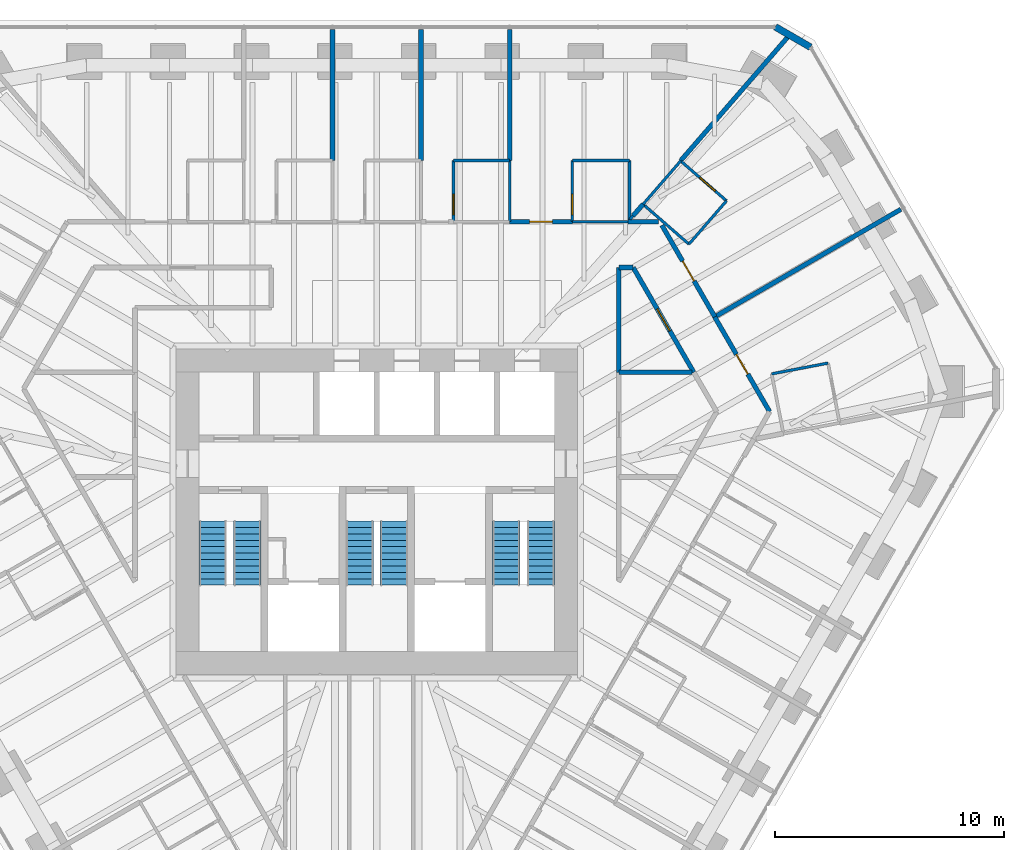
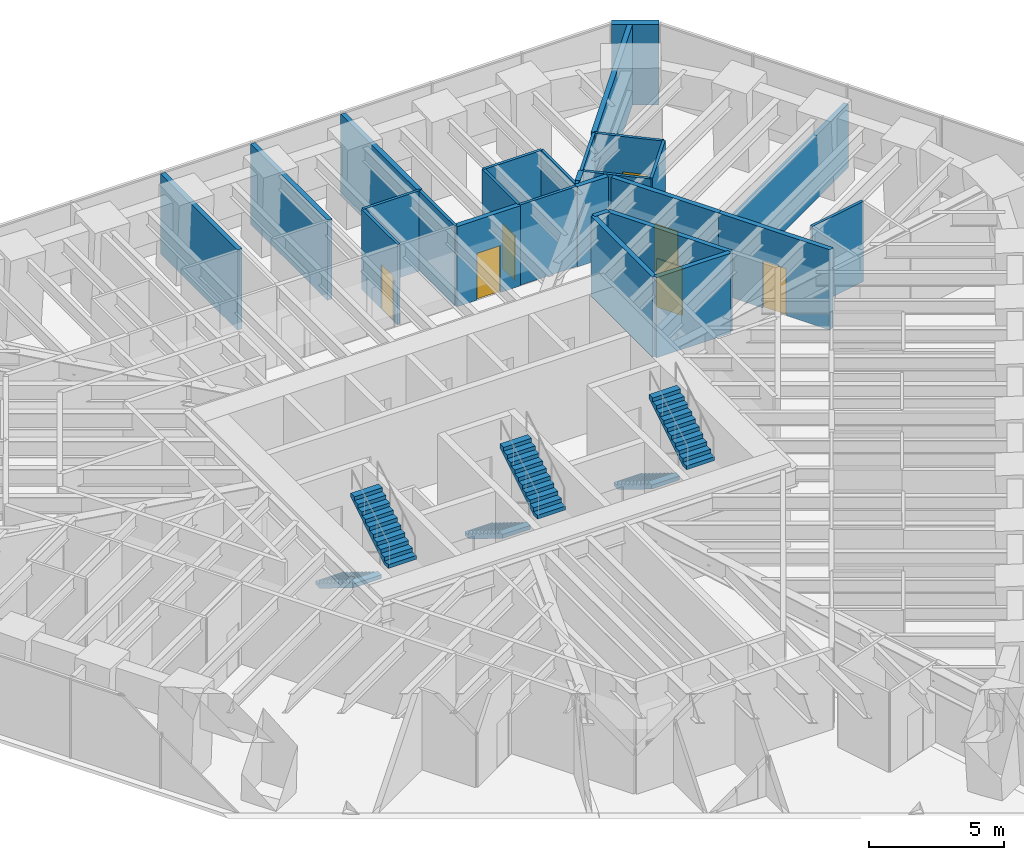
# One storey, part 16 of 17: 28 walls, 7 doors, 6 stair flights, 7 openings, 3 elements without a shape of their own.
"""IFC4 building model written with IfcOpenShell, lengths in metres."""

from ifc_helpers import new_model, si_unit, direction, frame, frame_2d, origin, place, context, subcontext, project, spatial, polyline, rectangle, outline, extrude, material, layer, layer_set, type_object, element, fill, aggregate, save


model = new_model("IFC4")

# Units and contexts
model_context = context("Model", 3, precision=1e-05, world=origin(), true_north=direction((0.0, 1.0)))
body_context = subcontext(model_context, "Body", "Model", "MODEL_VIEW")
ifc_project = project(units=[si_unit("LENGTHUNIT", "METRE"), si_unit("AREAUNIT", "SQUARE_METRE"), si_unit("VOLUMEUNIT", "CUBIC_METRE"), si_unit("PLANEANGLEUNIT", "RADIAN"), si_unit("MASSUNIT", "GRAM", prefix="KILO")], contexts=[model_context])

# Site, building, storey
site_placement = place(None, origin())
site = spatial("IfcSite", under=ifc_project, at=site_placement, CompositionType="ELEMENT")
building_placement = place(site_placement, origin())
building = spatial("IfcBuilding", under=site, at=building_placement, Name="Sandreach Pilgrim Tower", CompositionType="ELEMENT")
storey_placement = place(building_placement, frame((0.0, 0.0, 236.39990234375)))
storey = spatial("IfcBuildingStorey", under=building, at=storey_placement, Name="L59", CompositionType="ELEMENT", Elevation=236.39990234375)

# Wall, opening, door
ifc_material_1 = material(Name="Moisture-resistant gypsum board on steel studs", Category="steel")
ifc_layer_1 = layer(ifc_material_1, 0.1201171875)
ifc_layer_set_1 = layer_set([ifc_layer_1], Name="Bathroom partition 120")
wall_type_1 = type_object("IfcWallType", Name="Bathroom partition 120", PredefinedType="PARTITIONING", material=ifc_layer_set_1)
wall_1_placement = place(storey_placement, frame((3.35009765625, 15.330078125, 0.0), z_axis=(0.0, 0.0, 1.0), x_axis=(0.0, -1.0, 0.0)))
wall_1 = element("IfcWall", 1, at=wall_1_placement, inside=storey, type_object=wall_type_1, Name="Bathroom partition L59-085", PredefinedType="PARTITIONING", context=body_context, shape_type="SweptSolid", body=[
    extrude(rectangle(XDim=2.670166015625, YDim=0.1201171875, at=frame_2d((1.3349609375, 0.0))), origin(), (0.0, 0.0, 1.0), 3.64013671875),
])
opening_1_placement = place(wall_1_placement, frame((1.469970703125, 0.0, 0.0)))
opening_1 = element("IfcOpeningElement", 2, at=opening_1_placement, cuts=wall_1, Name="Opening D09-04B", PredefinedType="OPENING", context=body_context, shape_type="SweptSolid", body=[
    extrude(rectangle(XDim=0.89990234375, YDim=2.030029296875, at=frame_2d((0.449951171875, 1.01513671875))), frame((0.0, 0.06005859375, 0.0), z_axis=(0.0, -1.0, 0.0), x_axis=(1.0, 0.0, 0.0)), (0.0, 0.0, 1.0), 0.1201171875),
])
ifc_material_2 = material(Name="Timber door, steel frame", Category="steel")
door_type_1 = type_object("IfcDoorType", Name="Bathroom door", OperationType="SINGLE_SWING_LEFT", PredefinedType="DOOR", material=ifc_material_2)
door_1_placement = place(opening_1_placement, origin())
door_1 = element("IfcDoor", 3, at=door_1_placement, inside=storey, type_object=door_type_1, Name="Door 5904B", OperationType="SINGLE_SWING_RIGHT", OverallHeight=2.030029296875, OverallWidth=0.89990234375, PredefinedType="DOOR", context=body_context, shape_type="SweptSolid", body=[
    extrude(rectangle(XDim=0.89990234375, YDim=2.030029296875, at=frame_2d((0.449951171875, 1.01513671875))), frame((0.0, 0.02490234375, 0.0), z_axis=(0.0, -1.0, 0.0), x_axis=(1.0, 0.0, 0.0)), (0.0, 0.0, 1.0), 0.050048828125),
])
fill(opening_1, door_1)

# Walls
wall_2_placement = place(storey_placement, frame((5.800048828125, 15.330078125, 0.0), z_axis=(0.0, 0.0, 1.0), x_axis=(-1.0, 0.0, 0.0)))
element("IfcWall", 4, at=wall_2_placement, inside=storey, type_object=wall_type_1, Name="Bathroom partition L59-093", PredefinedType="PARTITIONING", context=body_context, shape_type="SweptSolid", body=[
    extrude(rectangle(XDim=2.449951171875, YDim=0.1201171875, at=frame_2d((1.22509765625, 0.0))), origin(), (0.0, 0.0, 1.0), 3.64013671875),
])
wall_3_placement = place(storey_placement, frame((5.800048828125, 15.330078125, 0.0), z_axis=(0.0, 0.0, 1.0), x_axis=(0.0, -1.0, 0.0)))
element("IfcWall", 5, at=wall_3_placement, inside=storey, type_object=wall_type_1, Name="Bathroom partition L59-094", PredefinedType="PARTITIONING", context=body_context, shape_type="SweptSolid", body=[
    extrude(rectangle(XDim=2.670166015625, YDim=0.1201171875, at=frame_2d((1.3349609375, 0.0))), origin(), (0.0, 0.0, 1.0), 3.64013671875),
])

# Wall, opening, door
wall_4_placement = place(storey_placement, frame((8.530029296875, 15.330078125, 0.0), z_axis=(0.0, 0.0, 1.0), x_axis=(0.0, -1.0, 0.0)))
wall_4 = element("IfcWall", 6, at=wall_4_placement, inside=storey, type_object=wall_type_1, Name="Bathroom partition L59-105", PredefinedType="PARTITIONING", context=body_context, shape_type="SweptSolid", body=[
    extrude(rectangle(XDim=2.670166015625, YDim=0.1201171875, at=frame_2d((1.3349609375, 0.0))), origin(), (0.0, 0.0, 1.0), 3.64013671875),
])
opening_2_placement = place(wall_4_placement, frame((1.469970703125, 0.0, 0.0)))
opening_2 = element("IfcOpeningElement", 7, at=opening_2_placement, cuts=wall_4, Name="Opening D09-05B", PredefinedType="OPENING", context=body_context, shape_type="SweptSolid", body=[
    extrude(rectangle(XDim=0.89990234375, YDim=2.030029296875, at=frame_2d((0.449951171875, 1.01513671875))), frame((0.0, 0.06005859375, 0.0), z_axis=(0.0, -1.0, 0.0), x_axis=(1.0, 0.0, 0.0)), (0.0, 0.0, 1.0), 0.1201171875),
])
door_2_placement = place(opening_2_placement, origin())
door_2 = element("IfcDoor", 8, at=door_2_placement, inside=storey, type_object=door_type_1, Name="Door 5905B", OperationType="SINGLE_SWING_RIGHT", OverallHeight=2.030029296875, OverallWidth=0.89990234375, PredefinedType="DOOR", context=body_context, shape_type="SweptSolid", body=[
    extrude(rectangle(XDim=0.89990234375, YDim=2.030029296875, at=frame_2d((0.449951171875, 1.01513671875))), frame((0.0, 0.02490234375, 0.0), z_axis=(0.0, -1.0, 0.0), x_axis=(1.0, 0.0, 0.0)), (0.0, 0.0, 1.0), 0.050048828125),
])
fill(opening_2, door_2)

# Walls
wall_5_placement = place(storey_placement, frame((10.9599609375, 12.659912109375, 0.0), z_axis=(0.0, 0.0, 1.0), x_axis=(-1.0, 0.0, 0.0)))
element("IfcWall", 9, at=wall_5_placement, inside=storey, type_object=wall_type_1, Name="Bathroom partition L59-117", PredefinedType="PARTITIONING", context=body_context, shape_type="SweptSolid", body=[
    extrude(rectangle(XDim=2.429931640625, YDim=0.1201171875, at=frame_2d((1.21484375, 0.0))), origin(), (0.0, 0.0, 1.0), 3.64013671875),
])
wall_6_placement = place(storey_placement, frame((11.030029296875, 12.739990234375, 0.0), z_axis=(0.0, 0.0, 1.0), x_axis=(0.0, 1.0, 0.0)))
element("IfcWall", 10, at=wall_6_placement, inside=storey, type_object=wall_type_1, Name="Bathroom partition L59-118", PredefinedType="PARTITIONING", context=body_context, shape_type="SweptSolid", body=[
    extrude(rectangle(XDim=2.590087890625, YDim=0.1201171875, at=frame_2d((1.294921875, 0.0))), origin(), (0.0, 0.0, 1.0), 3.64013671875),
])
wall_7_placement = place(storey_placement, frame((11.030029296875, 15.330078125, 0.0), z_axis=(0.0, 0.0, 1.0), x_axis=(-1.0, 0.0, 0.0)))
element("IfcWall", 11, at=wall_7_placement, inside=storey, type_object=wall_type_1, Name="Bathroom partition L59-119", PredefinedType="PARTITIONING", context=body_context, shape_type="SweptSolid", body=[
    extrude(rectangle(XDim=2.5, YDim=0.1201171875, at=frame_2d((1.25, 0.0))), origin(), (0.0, 0.0, 1.0), 3.64013671875),
])
wall_8_placement = place(storey_placement, frame((11.04931640625, 12.762939453125, 0.0), z_axis=(0.0, 0.0, 1.0), x_axis=(0.639596257895, 0.768711016499, 0.0)))
element("IfcWall", 12, at=wall_8_placement, inside=storey, type_object=wall_type_1, Name="Bathroom partition L59-120", PredefinedType="PARTITIONING", context=body_context, shape_type="SweptSolid", body=[
    extrude(rectangle(XDim=0.2041015625, YDim=0.1201171875, at=frame_2d((0.10205078125, 0.0))), origin(), (0.0, 0.0, 1.0), 3.64013671875),
])
wall_9_placement = place(storey_placement, frame((11.6201171875, 13.419921875, 0.0), z_axis=(0.0, 0.0, 1.0), x_axis=(0.655335308977, 0.755338091723, 0.0)))
element("IfcWall", 13, at=wall_9_placement, inside=storey, type_object=wall_type_1, Name="Bathroom partition L59-126", PredefinedType="PARTITIONING", context=body_context, shape_type="SweptSolid", body=[
    extrude(rectangle(XDim=2.50244140625, YDim=0.1201171875, at=frame_2d((1.251220703125, 0.0))), origin(), (0.0, 0.0, 1.0), 3.64013671875),
])
wall_10_placement = place(storey_placement, frame((11.6201171875, 13.419921875, 0.0), z_axis=(0.0, 0.0, 1.0), x_axis=(0.754444902764, -0.656363381591, 0.0)))
element("IfcWall", 14, at=wall_10_placement, inside=storey, type_object=wall_type_1, Name="Bathroom partition L59-127", PredefinedType="PARTITIONING", context=body_context, shape_type="SweptSolid", body=[
    extrude(rectangle(XDim=2.65087890625, YDim=0.1201171875, at=frame_2d((1.325439453125, 0.0))), origin(), (0.0, 0.0, 1.0), 3.64013671875),
])
wall_11_placement = place(storey_placement, frame((13.6201171875, 11.679931640625, 0.0), z_axis=(0.0, 0.0, 1.0), x_axis=(0.655335308977, 0.755338091723, 0.0)))
element("IfcWall", 15, at=wall_11_placement, inside=storey, type_object=wall_type_1, Name="Bathroom partition L59-137", PredefinedType="PARTITIONING", context=body_context, shape_type="SweptSolid", body=[
    extrude(rectangle(XDim=2.50244140625, YDim=0.1201171875, at=frame_2d((1.251220703125, 0.0))), origin(), (0.0, 0.0, 1.0), 3.64013671875),
])

# Wall, opening, door
wall_12_placement = place(storey_placement, frame((15.260009765625, 13.570068359375, 0.0), z_axis=(0.0, 0.0, 1.0), x_axis=(-0.754444902764, 0.656363381591, 0.0)))
wall_12 = element("IfcWall", 16, at=wall_12_placement, inside=storey, type_object=wall_type_1, Name="Bathroom partition L59-145", PredefinedType="PARTITIONING", context=body_context, shape_type="SweptSolid", body=[
    extrude(rectangle(XDim=2.65087890625, YDim=0.1201171875, at=frame_2d((1.325439453125, 0.0))), origin(), (0.0, 0.0, 1.0), 3.64013671875),
])
opening_3_placement = place(wall_12_placement, frame((0.64990234375, 0.0, 0.0)))
opening_3 = element("IfcOpeningElement", 17, at=opening_3_placement, cuts=wall_12, Name="Opening D09-06B", PredefinedType="OPENING", context=body_context, shape_type="SweptSolid", body=[
    extrude(rectangle(XDim=0.89990234375, YDim=2.030029296875, at=frame_2d((0.449951171875, 1.01513671875))), frame((0.0, 0.06005859375, 0.0), z_axis=(0.0, -1.0, 0.0), x_axis=(1.0, 0.0, 0.0)), (0.0, 0.0, 1.0), 0.1201171875),
])
door_3_placement = place(opening_3_placement, origin())
door_3 = element("IfcDoor", 18, at=door_3_placement, inside=storey, type_object=door_type_1, Name="Door 5906B", OperationType="SINGLE_SWING_LEFT", OverallHeight=2.030029296875, OverallWidth=0.89990234375, PredefinedType="DOOR", context=body_context, shape_type="SweptSolid", body=[
    extrude(rectangle(XDim=0.89990234375, YDim=2.030029296875, at=frame_2d((0.449951171875, 1.01513671875))), frame((0.0, 0.02490234375, 0.0), z_axis=(0.0, -1.0, 0.0), x_axis=(1.0, 0.0, 0.0)), (0.0, 0.0, 1.0), 0.050048828125),
])
fill(opening_3, door_3)

# Wall
wall_13_placement = place(storey_placement, frame((19.68994140625, 6.489990234375, 0.0), z_axis=(0.0, 0.0, 1.0), x_axis=(-0.98223517487, -0.187654100002, 0.0)))
element("IfcWall", 19, at=wall_13_placement, inside=storey, type_object=wall_type_1, Name="Bathroom partition L59-157", PredefinedType="PARTITIONING", context=body_context, shape_type="SweptSolid", body=[
    extrude(rectangle(XDim=2.50439453125, YDim=0.1201171875, at=frame_2d((1.252197265625, 0.0))), origin(), (0.0, 0.0, 1.0), 3.64013671875),
])

# Wall, opening, door
ifc_material_3 = material(Name="Gypsum board on steel studs, two layers each side", Category="steel")
ifc_layer_2 = layer(ifc_material_3, 0.199951171875)
ifc_layer_set_2 = layer_set([ifc_layer_2], Name="Corridor wall 200")
wall_type_2 = type_object("IfcWallType", Name="Corridor wall 200", PredefinedType="PARTITIONING", material=ifc_layer_set_2)
wall_14_placement = place(storey_placement, frame((8.530029296875, 12.659912109375, 0.0), z_axis=(0.0, 0.0, 1.0), x_axis=(-1.0, 0.0, 0.0)))
wall_14 = element("IfcWall", 20, at=wall_14_placement, inside=storey, type_object=wall_type_2, Name="Corridor wall L59-104", PredefinedType="PARTITIONING", context=body_context, shape_type="SweptSolid", body=[
    extrude(rectangle(XDim=2.72998046875, YDim=0.199951171875, at=frame_2d((1.364990234375, 0.0))), origin(), (0.0, 0.0, 1.0), 3.64013671875),
])
opening_4_placement = place(wall_14_placement, frame((0.864990234375, 0.0, 0.0)))
opening_4 = element("IfcOpeningElement", 21, at=opening_4_placement, cuts=wall_14, Name="Opening D10-05", PredefinedType="OPENING", context=body_context, shape_type="SweptSolid", body=[
    extrude(rectangle(XDim=1.0, YDim=2.1298828125, at=frame_2d((0.5, 1.06494140625))), frame((0.0, 0.10009765625, 0.0), z_axis=(0.0, -1.0, 0.0), x_axis=(1.0, 0.0, 0.0)), (0.0, 0.0, 1.0), 0.199951171875),
])
ifc_material_4 = material(Name="Steel door and frame", Category="steel")
door_type_2 = type_object("IfcDoorType", Name="Guest room entry door", OperationType="SINGLE_SWING_LEFT", PredefinedType="DOOR", material=ifc_material_4)
door_4_placement = place(opening_4_placement, origin())
door_4 = element("IfcDoor", 22, at=door_4_placement, inside=storey, type_object=door_type_2, Name="Door 5905", OperationType="SINGLE_SWING_LEFT", OverallHeight=2.1298828125, OverallWidth=1.0, PredefinedType="DOOR", context=body_context, shape_type="SweptSolid", body=[
    extrude(rectangle(XDim=1.0, YDim=2.1298828125, at=frame_2d((0.5, 1.06494140625))), frame((0.0, 0.02490234375, 0.0), z_axis=(0.0, -1.0, 0.0), x_axis=(1.0, 0.0, 0.0)), (0.0, 0.0, 1.0), 0.050048828125),
])
fill(opening_4, door_4)

# Walls
wall_15_placement = place(storey_placement, frame((10.550048828125, 6.090087890625, 0.0), z_axis=(0.0, 0.0, 1.0), x_axis=(0.0, 1.0, 0.0)))
element("IfcWall", 23, at=wall_15_placement, inside=storey, type_object=wall_type_2, Name="Corridor wall L59-114", PredefinedType="PARTITIONING", context=body_context, shape_type="SweptSolid", body=[
    extrude(rectangle(XDim=4.56982421875, YDim=0.199951171875, at=frame_2d((2.284912109375, 0.0))), origin(), (0.0, 0.0, 1.0), 3.64013671875),
])
wall_16_placement = place(storey_placement, frame((10.56005859375, 10.659912109375, 0.0), z_axis=(0.0, 0.0, 1.0), x_axis=(1.0, 0.0, 0.0)))
element("IfcWall", 24, at=wall_16_placement, inside=storey, type_object=wall_type_2, Name="Corridor wall L59-116", PredefinedType="PARTITIONING", context=body_context, shape_type="SweptSolid", body=[
    extrude(rectangle(XDim=0.6298828125, YDim=0.199951171875, at=frame_2d((0.31494140625, 0.0))), origin(), (0.0, 0.0, 1.0), 3.64013671875),
])

# Wall, opening, door
wall_17_placement = place(storey_placement, frame((11.18994140625, 10.659912109375, 0.0), z_axis=(0.0, 0.0, 1.0), x_axis=(0.500248310865, -0.865881993967, 0.0)))
wall_17 = element("IfcWall", 25, at=wall_17_placement, inside=storey, type_object=wall_type_2, Name="Corridor wall L59-122", PredefinedType="PARTITIONING", context=body_context, shape_type="SweptSolid", body=[
    extrude(rectangle(XDim=5.277587890625, YDim=0.199951171875, at=frame_2d((2.638671875, 0.0))), origin(), (0.0, 0.0, 1.0), 3.64013671875),
])
opening_5_placement = place(wall_17_placement, frame((2.0888671875, 0.0, 0.0)))
opening_5 = element("IfcOpeningElement", 26, at=opening_5_placement, cuts=wall_17, Name="Opening D11H-M05", PredefinedType="OPENING", context=body_context, shape_type="SweptSolid", body=[
    extrude(rectangle(XDim=1.10009765625, YDim=2.199951171875, at=frame_2d((0.550048828125, 1.10009765625))), frame((0.0, 0.10009765625, 0.0), z_axis=(0.0, -1.0, 0.0), x_axis=(1.0, 0.0, 0.0)), (0.0, 0.0, 1.0), 0.199951171875),
])
ifc_material_5 = material(Name="Steel door and frame", Category="steel")
door_type_3 = type_object("IfcDoorType", Name="Back of house door", OperationType="SINGLE_SWING_LEFT", PredefinedType="DOOR", material=ifc_material_5)
door_5_placement = place(opening_5_placement, origin())
door_5 = element("IfcDoor", 27, at=door_5_placement, inside=storey, type_object=door_type_3, Name="Door 59M05", OperationType="SINGLE_SWING_LEFT", OverallHeight=2.199951171875, OverallWidth=1.10009765625, PredefinedType="DOOR", context=body_context, shape_type="SweptSolid", body=[
    extrude(rectangle(XDim=1.10009765625, YDim=2.199951171875, at=frame_2d((0.550048828125, 1.10009765625))), frame((0.0, 0.02490234375, 0.0), z_axis=(0.0, -1.0, 0.0), x_axis=(1.0, 0.0, 0.0)), (0.0, 0.0, 1.0), 0.050048828125),
])
fill(opening_5, door_5)

# Wall
wall_18_placement = place(storey_placement, frame((12.2900390625, 12.659912109375, 0.0), z_axis=(0.0, 0.0, 1.0), x_axis=(-1.0, 0.0, 0.0)))
element("IfcWall", 28, at=wall_18_placement, inside=storey, type_object=wall_type_2, Name="Corridor wall L59-132", PredefinedType="PARTITIONING", context=body_context, shape_type="SweptSolid", body=[
    extrude(rectangle(XDim=1.330078125, YDim=0.199951171875, at=frame_2d((0.6650390625, 0.0))), origin(), (0.0, 0.0, 1.0), 3.64013671875),
])

# Wall, opening, door
wall_19_placement = place(storey_placement, frame((12.440185546875, 12.504150390625, 0.0), z_axis=(0.0, 0.0, 1.0), x_axis=(0.500616963614, -0.865668906535, 0.0)))
wall_19 = element("IfcWall", 29, at=wall_19_placement, inside=storey, type_object=wall_type_2, Name="Corridor wall L59-133", PredefinedType="PARTITIONING", context=body_context, shape_type="SweptSolid", body=[
    extrude(rectangle(XDim=4.614013671875, YDim=0.199951171875, at=frame_2d((2.30712890625, 0.0))), origin(), (0.0, 0.0, 1.0), 3.64013671875),
])
opening_6_placement = place(wall_19_placement, frame((1.806884765625, 0.0, 0.0)))
opening_6 = element("IfcOpeningElement", 30, at=opening_6_placement, cuts=wall_19, Name="Opening D10-06", PredefinedType="OPENING", context=body_context, shape_type="SweptSolid", body=[
    extrude(rectangle(XDim=1.0, YDim=2.1298828125, at=frame_2d((0.5, 1.06494140625))), frame((0.0, 0.10009765625, 0.0), z_axis=(0.0, -1.0, 0.0), x_axis=(1.0, 0.0, 0.0)), (0.0, 0.0, 1.0), 0.199951171875),
])
door_6_placement = place(opening_6_placement, origin())
door_6 = element("IfcDoor", 31, at=door_6_placement, inside=storey, type_object=door_type_2, Name="Door 5906", OperationType="SINGLE_SWING_LEFT", OverallHeight=2.1298828125, OverallWidth=1.0, PredefinedType="DOOR", context=body_context, shape_type="SweptSolid", body=[
    extrude(rectangle(XDim=1.0, YDim=2.1298828125, at=frame_2d((0.5, 1.06494140625))), frame((0.0, 0.02490234375, 0.0), z_axis=(0.0, -1.0, 0.0), x_axis=(1.0, 0.0, 0.0)), (0.0, 0.0, 1.0), 0.050048828125),
])
fill(opening_6, door_6)

wall_20_placement = place(storey_placement, frame((17.139892578125, 4.3701171875, 0.0), z_axis=(0.0, 0.0, 1.0), x_axis=(-0.501524901322, 0.865143209737, 0.0)))
wall_20 = element("IfcWall", 32, at=wall_20_placement, inside=storey, type_object=wall_type_2, Name="Corridor wall L59-152", PredefinedType="PARTITIONING", context=body_context, shape_type="SweptSolid", body=[
    extrude(rectangle(XDim=4.78515625, YDim=0.199951171875, at=frame_2d((2.392578125, 0.0))), origin(), (0.0, 0.0, 1.0), 3.64013671875),
])
opening_7_placement = place(wall_20_placement, frame((1.892578125, 0.0, 0.0)))
opening_7 = element("IfcOpeningElement", 33, at=opening_7_placement, cuts=wall_20, Name="Opening D10-07", PredefinedType="OPENING", context=body_context, shape_type="SweptSolid", body=[
    extrude(rectangle(XDim=1.0, YDim=2.1298828125, at=frame_2d((0.5, 1.06494140625))), frame((0.0, 0.10009765625, 0.0), z_axis=(0.0, -1.0, 0.0), x_axis=(1.0, 0.0, 0.0)), (0.0, 0.0, 1.0), 0.199951171875),
])
door_7_placement = place(opening_7_placement, origin())
door_7 = element("IfcDoor", 34, at=door_7_placement, inside=storey, type_object=door_type_2, Name="Door 5907", OperationType="SINGLE_SWING_LEFT", OverallHeight=2.1298828125, OverallWidth=1.0, PredefinedType="DOOR", context=body_context, shape_type="SweptSolid", body=[
    extrude(rectangle(XDim=1.0, YDim=2.1298828125, at=frame_2d((0.5, 1.06494140625))), frame((0.0, 0.02490234375, 0.0), z_axis=(0.0, -1.0, 0.0), x_axis=(1.0, 0.0, 0.0)), (0.0, 0.0, 1.0), 0.050048828125),
])
fill(opening_7, door_7)

# Walls
ifc_material_6 = material(Name="Double steel stud acoustic wall, gypsum board", Category="steel")
ifc_layer_3 = layer(ifc_material_6, 0.199951171875)
ifc_layer_set_3 = layer_set([ifc_layer_3], Name="Party wall 200")
wall_type_3 = type_object("IfcWallType", Name="Party wall 200", PredefinedType="PARTITIONING", material=ifc_layer_set_3)
for number, where, z_axis, x_axis, name in (
    (35, (-1.929931640625, 21.0400390625, 0.0), (0.0, 0.0, 1.0), (0.0, -1.0, 0.0), "Party wall L59-067"),
    (36, (1.929931640625, 21.0400390625, 0.0), (0.0, 0.0, 1.0), (0.0, -1.0, 0.0), "Party wall L59-082"),
    (37, (5.800048828125, 21.0400390625, 0.0), (0.0, 0.0, 1.0), (0.0, -1.0, 0.0), "Party wall L59-095"),
):
    element("IfcWall", number, at=place(storey_placement, frame(where, z_axis=z_axis, x_axis=x_axis)), inside=storey, type_object=wall_type_3, Name=name, PredefinedType="PARTITIONING", context=body_context, shape_type="SweptSolid", body=[
        extrude(rectangle(XDim=5.7099609375, YDim=0.199951171875, at=frame_2d((2.85498046875, 0.0))), origin(), (0.0, 0.0, 1.0), 3.64013671875),
    ])
wall_21_placement = place(storey_placement, frame((11.179931640625, 12.919921875, 0.0), z_axis=(0.0, 0.0, 1.0), x_axis=(0.660578310858, 0.750757147967, 0.0)))
element("IfcWall", 38, at=wall_21_placement, inside=storey, type_object=wall_type_3, Name="Party wall L59-121", PredefinedType="PARTITIONING", context=body_context, shape_type="SweptSolid", body=[
    extrude(rectangle(XDim=0.666015625, YDim=0.199951171875, at=frame_2d((0.3330078125, 0.0))), origin(), (0.0, 0.0, 1.0), 3.64013671875),
])
wall_22_placement = place(storey_placement, frame((13.7548828125, 6.090087890625, 0.0), z_axis=(0.0, 0.0, 1.0), x_axis=(-1.0, 0.0, 0.0)))
element("IfcWall", 39, at=wall_22_placement, inside=storey, type_object=wall_type_3, Name="Party wall L59-138", PredefinedType="PARTITIONING", context=body_context, shape_type="SweptSolid", body=[
    extrude(rectangle(XDim=3.19482421875, YDim=0.199951171875, at=frame_2d((1.597412109375, 0.0))), origin(), (0.0, 0.0, 1.0), 3.64013671875),
])
wall_23_placement = place(storey_placement, frame((18.020263671875, 20.8173828125, 0.0), z_axis=(0.0, 0.0, 1.0), x_axis=(-0.654701954033, -0.755887128733, 0.0)))
element("IfcWall", 40, at=wall_23_placement, inside=storey, type_object=wall_type_3, Name="Party wall L59-156", PredefinedType="PARTITIONING", context=body_context, shape_type="SweptSolid", body=[
    extrude(rectangle(XDim=7.279541015625, YDim=0.199951171875, at=frame_2d((3.6396484375, 0.0))), origin(), (0.0, 0.0, 1.0), 3.64013671875),
])
wall_24_placement = place(storey_placement, frame((22.8662109375, 13.199951171875, 0.0), z_axis=(0.0, 0.0, 1.0), x_axis=(-0.865840726882, -0.500319733442, 0.0)))
element("IfcWall", 41, at=wall_24_placement, inside=storey, type_object=wall_type_3, Name="Party wall L59-160", PredefinedType="PARTITIONING", context=body_context, shape_type="SweptSolid", body=[
    extrude(rectangle(XDim=9.363525390625, YDim=0.199951171875, at=frame_2d((4.681640625, 0.0))), origin(), (0.0, 0.0, 1.0), 2.878173828125),
])
ifc_material_7 = material(Name="Terracotta rainscreen on concrete", Category="masonry")
ifc_layer_4 = layer(ifc_material_7, 0.300048828125)
ifc_layer_set_4 = layer_set([ifc_layer_4], Name="Terracotta chamfer pier")
wall_type_4 = type_object("IfcWallType", Name="Terracotta chamfer pier", PredefinedType="SOLIDWALL", material=ifc_layer_set_4)
wall_25_placement = place(storey_placement, frame((17.389892578125, 21.16015625, 0.0), z_axis=(0.0, 0.0, 1.0), x_axis=(0.866036293601, -0.499981137809, 0.0)))
element("IfcWall", 42, at=wall_25_placement, inside=storey, type_object=wall_type_4, Name="Chamfer pier L59 N", PredefinedType="SOLIDWALL", context=body_context, shape_type="SweptSolid", body=[
    extrude(rectangle(XDim=1.77001953125, YDim=0.300048828125, at=frame_2d((0.885009765625, 0.0))), origin(), (0.0, 0.0, 1.0), 3.64013671875),
])

# Stair, stair flights
ifc_material_8 = material(Name="Concrete 8000 psi", Category="concrete")
stair_type = type_object("IfcStairType", Name="Core exit stair", PredefinedType="HALF_TURN_STAIR", material=ifc_material_8)
stair_1_placement = place(storey_placement, origin())
stair_1 = element("IfcStair", 43, at=stair_1_placement, inside=storey, type_object=stair_type, Name="Exit stair ST1 L59", PredefinedType="HALF_TURN_STAIR")
ifc_material_9 = material(Name="Concrete 8000 psi", Category="concrete")
stair_flight_type = type_object("IfcStairFlightType", Name="Core stair flight 1200", PredefinedType="STRAIGHT", material=ifc_material_9)
stair_flight_1_placement = place(storey_placement, frame((-7.14990234375, -0.39990234375, 0.0), z_axis=(0.0, 0.0, 1.0), x_axis=(0.0, -1.0, 0.0)))
stair_flight_1 = element("IfcStairFlight", 44, at=stair_flight_1_placement, type_object=stair_flight_type, Name="ST1 flight 1", NumberOfRisers=11, NumberOfTreads=10, PredefinedType="STRAIGHT", RiserHeight=0.172727273, TreadLength=0.28, context=body_context, shape_type="SweptSolid", body=[
    extrude(outline(polyline([(0.0, 0.0), (0.0, 0.172607421875), (0.280029296875, 0.172607421875), (0.280029296875, 0.345458984375), (0.56005859375, 0.345458984375), (0.56005859375, 0.51806640625), (0.840087890625, 0.51806640625), (0.840087890625, 0.69091796875), (1.1201171875, 0.69091796875), (1.1201171875, 0.863525390625), (1.39990234375, 0.863525390625), (1.39990234375, 1.036376953125), (1.679931640625, 1.036376953125), (1.679931640625, 1.208984375), (1.9599609375, 1.208984375), (1.9599609375, 1.3818359375), (2.239990234375, 1.3818359375), (2.239990234375, 1.554443359375), (2.52001953125, 1.554443359375), (2.52001953125, 1.727294921875), (2.800048828125, 1.727294921875), (2.800048828125, 1.89990234375), (2.800048828125, 1.551025390625), (0.285400390625, 0.0), (0.0, 0.0)])), frame((0.0, 0.60009765625, 0.0), z_axis=(0.0, -1.0, 0.0), x_axis=(1.0, 0.0, 0.0)), (0.0, 0.0, 1.0), 1.199951171875),
])
stair_flight_2_placement = place(storey_placement, frame((-5.64990234375, -3.199951171875, 1.900146484375), z_axis=(0.0, 0.0, 1.0), x_axis=(0.0, 1.0, 0.0)))
stair_flight_2 = element("IfcStairFlight", 45, at=stair_flight_2_placement, type_object=stair_flight_type, Name="ST1 flight 2", NumberOfRisers=11, NumberOfTreads=10, PredefinedType="STRAIGHT", RiserHeight=0.172727273, TreadLength=0.28, context=body_context, shape_type="SweptSolid", body=[
    extrude(outline(polyline([(0.0, 0.0), (0.0, 0.172607421875), (0.280029296875, 0.172607421875), (0.280029296875, 0.345458984375), (0.56005859375, 0.345458984375), (0.56005859375, 0.51806640625), (0.840087890625, 0.51806640625), (0.840087890625, 0.69091796875), (1.1201171875, 0.69091796875), (1.1201171875, 0.863525390625), (1.39990234375, 0.863525390625), (1.39990234375, 1.036376953125), (1.679931640625, 1.036376953125), (1.679931640625, 1.208984375), (1.9599609375, 1.208984375), (1.9599609375, 1.3818359375), (2.239990234375, 1.3818359375), (2.239990234375, 1.554443359375), (2.52001953125, 1.554443359375), (2.52001953125, 1.727294921875), (2.800048828125, 1.727294921875), (2.800048828125, 1.89990234375), (2.800048828125, 1.551025390625), (0.285400390625, 0.0), (0.0, 0.0)])), frame((0.0, 0.60009765625, 0.0), z_axis=(0.0, -1.0, 0.0), x_axis=(1.0, 0.0, 0.0)), (0.0, 0.0, 1.0), 1.199951171875),
])
aggregate(stair_1, [stair_flight_1, stair_flight_2])

stair_2_placement = place(storey_placement, origin())
stair_2 = element("IfcStair", 46, at=stair_2_placement, inside=storey, type_object=stair_type, Name="Exit stair ST3 L59", PredefinedType="HALF_TURN_STAIR")
stair_flight_3_placement = place(storey_placement, frame((-0.75, -0.39990234375, 0.0), z_axis=(0.0, 0.0, 1.0), x_axis=(0.0, -1.0, 0.0)))
stair_flight_3 = element("IfcStairFlight", 47, at=stair_flight_3_placement, type_object=stair_flight_type, Name="ST3 flight 1", NumberOfRisers=11, NumberOfTreads=10, PredefinedType="STRAIGHT", RiserHeight=0.172727273, TreadLength=0.28, context=body_context, shape_type="SweptSolid", body=[
    extrude(outline(polyline([(0.0, 0.0), (0.0, 0.172607421875), (0.280029296875, 0.172607421875), (0.280029296875, 0.345458984375), (0.56005859375, 0.345458984375), (0.56005859375, 0.51806640625), (0.840087890625, 0.51806640625), (0.840087890625, 0.69091796875), (1.1201171875, 0.69091796875), (1.1201171875, 0.863525390625), (1.39990234375, 0.863525390625), (1.39990234375, 1.036376953125), (1.679931640625, 1.036376953125), (1.679931640625, 1.208984375), (1.9599609375, 1.208984375), (1.9599609375, 1.3818359375), (2.239990234375, 1.3818359375), (2.239990234375, 1.554443359375), (2.52001953125, 1.554443359375), (2.52001953125, 1.727294921875), (2.800048828125, 1.727294921875), (2.800048828125, 1.89990234375), (2.800048828125, 1.551025390625), (0.285400390625, 0.0), (0.0, 0.0)])), frame((0.0, 0.60009765625, 0.0), z_axis=(0.0, -1.0, 0.0), x_axis=(1.0, 0.0, 0.0)), (0.0, 0.0, 1.0), 1.199951171875),
])
stair_flight_4_placement = place(storey_placement, frame((0.75, -3.199951171875, 1.900146484375), z_axis=(0.0, 0.0, 1.0), x_axis=(0.0, 1.0, 0.0)))
stair_flight_4 = element("IfcStairFlight", 48, at=stair_flight_4_placement, type_object=stair_flight_type, Name="ST3 flight 2", NumberOfRisers=11, NumberOfTreads=10, PredefinedType="STRAIGHT", RiserHeight=0.172727273, TreadLength=0.28, context=body_context, shape_type="SweptSolid", body=[
    extrude(outline(polyline([(0.0, 0.0), (0.0, 0.172607421875), (0.280029296875, 0.172607421875), (0.280029296875, 0.345458984375), (0.56005859375, 0.345458984375), (0.56005859375, 0.51806640625), (0.840087890625, 0.51806640625), (0.840087890625, 0.69091796875), (1.1201171875, 0.69091796875), (1.1201171875, 0.863525390625), (1.39990234375, 0.863525390625), (1.39990234375, 1.036376953125), (1.679931640625, 1.036376953125), (1.679931640625, 1.208984375), (1.9599609375, 1.208984375), (1.9599609375, 1.3818359375), (2.239990234375, 1.3818359375), (2.239990234375, 1.554443359375), (2.52001953125, 1.554443359375), (2.52001953125, 1.727294921875), (2.800048828125, 1.727294921875), (2.800048828125, 1.89990234375), (2.800048828125, 1.551025390625), (0.285400390625, 0.0), (0.0, 0.0)])), frame((0.0, 0.60009765625, 0.0), z_axis=(0.0, -1.0, 0.0), x_axis=(1.0, 0.0, 0.0)), (0.0, 0.0, 1.0), 1.199951171875),
])
aggregate(stair_2, [stair_flight_3, stair_flight_4])

stair_3_placement = place(storey_placement, origin())
stair_3 = element("IfcStair", 49, at=stair_3_placement, inside=storey, type_object=stair_type, Name="Exit stair ST2 L59", PredefinedType="HALF_TURN_STAIR")
stair_flight_5_placement = place(storey_placement, frame((5.64990234375, -0.39990234375, 0.0), z_axis=(0.0, 0.0, 1.0), x_axis=(0.0, -1.0, 0.0)))
stair_flight_5 = element("IfcStairFlight", 50, at=stair_flight_5_placement, type_object=stair_flight_type, Name="ST2 flight 1", NumberOfRisers=11, NumberOfTreads=10, PredefinedType="STRAIGHT", RiserHeight=0.172727273, TreadLength=0.28, context=body_context, shape_type="SweptSolid", body=[
    extrude(outline(polyline([(0.0, 0.0), (0.0, 0.172607421875), (0.280029296875, 0.172607421875), (0.280029296875, 0.345458984375), (0.56005859375, 0.345458984375), (0.56005859375, 0.51806640625), (0.840087890625, 0.51806640625), (0.840087890625, 0.69091796875), (1.1201171875, 0.69091796875), (1.1201171875, 0.863525390625), (1.39990234375, 0.863525390625), (1.39990234375, 1.036376953125), (1.679931640625, 1.036376953125), (1.679931640625, 1.208984375), (1.9599609375, 1.208984375), (1.9599609375, 1.3818359375), (2.239990234375, 1.3818359375), (2.239990234375, 1.554443359375), (2.52001953125, 1.554443359375), (2.52001953125, 1.727294921875), (2.800048828125, 1.727294921875), (2.800048828125, 1.89990234375), (2.800048828125, 1.551025390625), (0.285400390625, 0.0), (0.0, 0.0)])), frame((0.0, 0.60009765625, 0.0), z_axis=(0.0, -1.0, 0.0), x_axis=(1.0, 0.0, 0.0)), (0.0, 0.0, 1.0), 1.199951171875),
])
stair_flight_6_placement = place(storey_placement, frame((7.14990234375, -3.199951171875, 1.900146484375), z_axis=(0.0, 0.0, 1.0), x_axis=(0.0, 1.0, 0.0)))
stair_flight_6 = element("IfcStairFlight", 51, at=stair_flight_6_placement, type_object=stair_flight_type, Name="ST2 flight 2", NumberOfRisers=11, NumberOfTreads=10, PredefinedType="STRAIGHT", RiserHeight=0.172727273, TreadLength=0.28, context=body_context, shape_type="SweptSolid", body=[
    extrude(outline(polyline([(0.0, 0.0), (0.0, 0.172607421875), (0.280029296875, 0.172607421875), (0.280029296875, 0.345458984375), (0.56005859375, 0.345458984375), (0.56005859375, 0.51806640625), (0.840087890625, 0.51806640625), (0.840087890625, 0.69091796875), (1.1201171875, 0.69091796875), (1.1201171875, 0.863525390625), (1.39990234375, 0.863525390625), (1.39990234375, 1.036376953125), (1.679931640625, 1.036376953125), (1.679931640625, 1.208984375), (1.9599609375, 1.208984375), (1.9599609375, 1.3818359375), (2.239990234375, 1.3818359375), (2.239990234375, 1.554443359375), (2.52001953125, 1.554443359375), (2.52001953125, 1.727294921875), (2.800048828125, 1.727294921875), (2.800048828125, 1.89990234375), (2.800048828125, 1.551025390625), (0.285400390625, 0.0), (0.0, 0.0)])), frame((0.0, 0.60009765625, 0.0), z_axis=(0.0, -1.0, 0.0), x_axis=(1.0, 0.0, 0.0)), (0.0, 0.0, 1.0), 1.199951171875),
])
aggregate(stair_3, [stair_flight_5, stair_flight_6])

save(model, "model.ifc")
